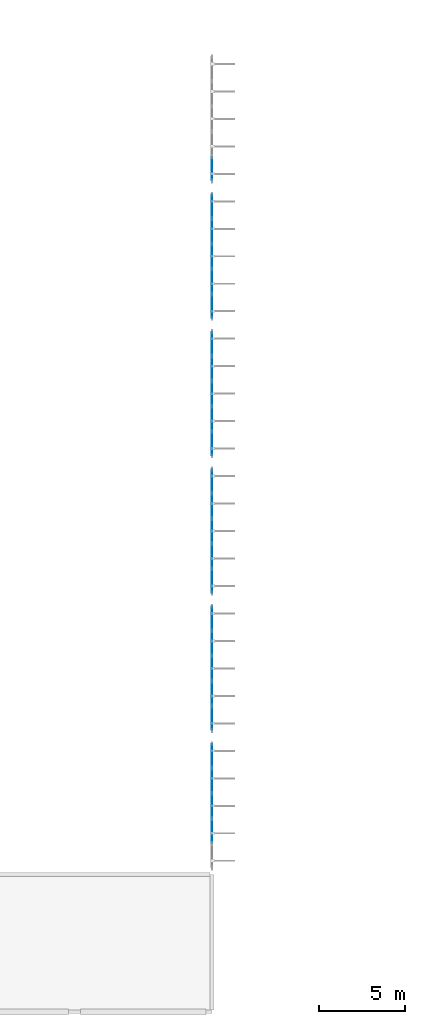
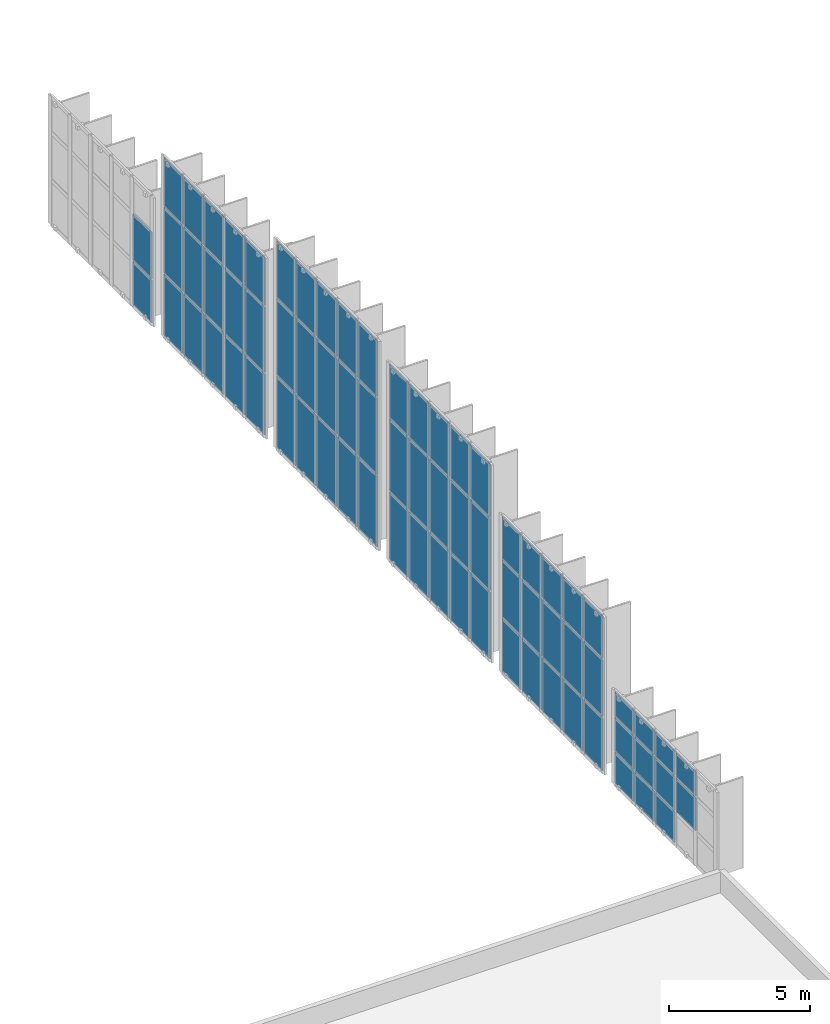
# One storey, part 21 of 38: 73 plates, 6 elements without a shape of their own.
"""IFC4 building model written with IfcOpenShell, lengths in metres."""

from ifc_helpers import new_model, si_unit, direction, frame, origin, origin_2d, place, context, subcontext, project, spatial, rectangle, extrude, material, layer, layer_set, type_object, element, aggregate, save


model = new_model("IFC4")

# Units and contexts
model_context = context("Model", 3, precision=1e-05, world=origin(), true_north=direction((0.0, 1.0)))
body_context = subcontext(model_context, "Body", "Model", "MODEL_VIEW")
ifc_project = project(units=[si_unit("LENGTHUNIT", "METRE"), si_unit("AREAUNIT", "SQUARE_METRE"), si_unit("VOLUMEUNIT", "CUBIC_METRE"), si_unit("PLANEANGLEUNIT", "RADIAN"), si_unit("MASSUNIT", "GRAM", prefix="KILO")], contexts=[model_context])

# Site, building, storey
site_placement = place(None, origin())
site = spatial("IfcSite", under=ifc_project, at=site_placement, CompositionType="ELEMENT")
building_placement = place(site_placement, origin())
building = spatial("IfcBuilding", under=site, at=building_placement, Name="Drelvana Railside Aquatics Centre", CompositionType="ELEMENT")
storey_placement = place(building_placement, frame((0.0, 0.0, 14.39990234375)))
storey = spatial("IfcBuildingStorey", under=building, at=storey_placement, Name="L03", CompositionType="ELEMENT", Elevation=14.39990234375)

# Curtain wall, plates
ifc_material_1 = material(Name="Bronze-anodised aluminium curtain wall", Category="aluminium")
ifc_layer_1 = layer(ifc_material_1, 0.219970703125, Name="Bronze-anodised aluminium curtain wall")
ifc_layer_set_1 = layer_set([ifc_layer_1], Name="Bronze-anodised aluminium curtain wall")
curtain_wall_type = type_object("IfcCurtainWallType", Name="CW-Z3-HIGH", PredefinedType="NOTDEFINED", material=ifc_layer_set_1)
curtain_wall_1_placement = place(storey_placement, origin())
curtain_wall_1 = element("IfcCurtainWall", 1, at=curtain_wall_1_placement, inside=storey, type_object=curtain_wall_type, Name="Curtain wall CW-03-058", PredefinedType="NOTDEFINED")
ifc_material_2 = material(Name="Double-glazed low-e solar-control glass", Category="glass")
ifc_layer_2 = layer(ifc_material_2, 0.035888671875, Name="Double-glazed low-e solar-control glass")
ifc_layer_set_2 = layer_set([ifc_layer_2], Name="Double-glazed low-e solar-control glass")
plate_type = type_object("IfcPlateType", Name="CW-Z3-HIGH-PAN", PredefinedType="CURTAIN_PANEL", material=ifc_layer_set_2)
plate_1_placement = place(storey_placement, frame((96.0, 26.53759765625, 1.45947265625), z_axis=(0.0, 0.0, 1.0), x_axis=(0.0, 1.0, 0.0)))
plate_1 = element("IfcPlate", 2, at=plate_1_placement, type_object=plate_type, Name="CW-03 panel 2.2", PredefinedType="CURTAIN_PANEL", context=body_context, shape_type="SweptSolid", body=[
    extrude(rectangle(XDim=1.392333984375, YDim=0.035888671875, at=origin_2d()), origin(), (0.0, 0.0, 1.0), 1.448974609375),
])
plate_2_placement = place(storey_placement, frame((96.0, 26.53759765625, 2.9736328125), z_axis=(0.0, 0.0, 1.0), x_axis=(0.0, 1.0, 0.0)))
plate_2 = element("IfcPlate", 3, at=plate_2_placement, type_object=plate_type, Name="CW-03 panel 2.3", PredefinedType="CURTAIN_PANEL", context=body_context, shape_type="SweptSolid", body=[
    extrude(rectangle(XDim=1.392333984375, YDim=0.035888671875, at=origin_2d()), origin(), (0.0, 0.0, 1.0), 1.04345703125),
])
plate_3_placement = place(storey_placement, frame((96.0, 28.0, 0.06396484375), z_axis=(0.0, 0.0, 1.0), x_axis=(0.0, 1.0, 0.0)))
plate_3 = element("IfcPlate", 4, at=plate_3_placement, type_object=plate_type, Name="CW-03 panel 3.1", PredefinedType="CURTAIN_PANEL", context=body_context, shape_type="SweptSolid", body=[
    extrude(rectangle(XDim=1.392333984375, YDim=0.035888671875, at=origin_2d()), origin(), (0.0, 0.0, 1.0), 1.33056640625),
])
plate_4_placement = place(storey_placement, frame((96.0, 28.0, 1.45947265625), z_axis=(0.0, 0.0, 1.0), x_axis=(0.0, 1.0, 0.0)))
plate_4 = element("IfcPlate", 5, at=plate_4_placement, type_object=plate_type, Name="CW-03 panel 3.2", PredefinedType="CURTAIN_PANEL", context=body_context, shape_type="SweptSolid", body=[
    extrude(rectangle(XDim=1.392333984375, YDim=0.035888671875, at=origin_2d()), origin(), (0.0, 0.0, 1.0), 1.448974609375),
])
plate_5_placement = place(storey_placement, frame((96.0, 28.0, 2.9736328125), z_axis=(0.0, 0.0, 1.0), x_axis=(0.0, 1.0, 0.0)))
plate_5 = element("IfcPlate", 6, at=plate_5_placement, type_object=plate_type, Name="CW-03 panel 3.3", PredefinedType="CURTAIN_PANEL", context=body_context, shape_type="SweptSolid", body=[
    extrude(rectangle(XDim=1.392333984375, YDim=0.035888671875, at=origin_2d()), origin(), (0.0, 0.0, 1.0), 1.04345703125),
])
plate_6_placement = place(storey_placement, frame((96.0, 29.46240234375, 0.06396484375), z_axis=(0.0, 0.0, 1.0), x_axis=(0.0, 1.0, 0.0)))
plate_6 = element("IfcPlate", 7, at=plate_6_placement, type_object=plate_type, Name="CW-03 panel 4.1", PredefinedType="CURTAIN_PANEL", context=body_context, shape_type="SweptSolid", body=[
    extrude(rectangle(XDim=1.392333984375, YDim=0.035888671875, at=origin_2d()), origin(), (0.0, 0.0, 1.0), 1.33056640625),
])
plate_7_placement = place(storey_placement, frame((96.0, 29.46240234375, 1.45947265625), z_axis=(0.0, 0.0, 1.0), x_axis=(0.0, 1.0, 0.0)))
plate_7 = element("IfcPlate", 8, at=plate_7_placement, type_object=plate_type, Name="CW-03 panel 4.2", PredefinedType="CURTAIN_PANEL", context=body_context, shape_type="SweptSolid", body=[
    extrude(rectangle(XDim=1.392333984375, YDim=0.035888671875, at=origin_2d()), origin(), (0.0, 0.0, 1.0), 1.448974609375),
])
plate_8_placement = place(storey_placement, frame((96.0, 29.46240234375, 2.9736328125), z_axis=(0.0, 0.0, 1.0), x_axis=(0.0, 1.0, 0.0)))
plate_8 = element("IfcPlate", 9, at=plate_8_placement, type_object=plate_type, Name="CW-03 panel 4.3", PredefinedType="CURTAIN_PANEL", context=body_context, shape_type="SweptSolid", body=[
    extrude(rectangle(XDim=1.392333984375, YDim=0.035888671875, at=origin_2d()), origin(), (0.0, 0.0, 1.0), 1.04345703125),
])
plate_9_placement = place(storey_placement, frame((96.0, 30.90478515625, 0.06396484375), z_axis=(0.0, 0.0, 1.0), x_axis=(0.0, 1.0, 0.0)))
plate_9 = element("IfcPlate", 10, at=plate_9_placement, type_object=plate_type, Name="CW-03 panel 5.1", PredefinedType="CURTAIN_PANEL", context=body_context, shape_type="SweptSolid", body=[
    extrude(rectangle(XDim=1.352294921875, YDim=0.035888671875, at=origin_2d()), origin(), (0.0, 0.0, 1.0), 1.33056640625),
])
plate_10_placement = place(storey_placement, frame((96.0, 30.90478515625, 1.45947265625), z_axis=(0.0, 0.0, 1.0), x_axis=(0.0, 1.0, 0.0)))
plate_10 = element("IfcPlate", 11, at=plate_10_placement, type_object=plate_type, Name="CW-03 panel 5.2", PredefinedType="CURTAIN_PANEL", context=body_context, shape_type="SweptSolid", body=[
    extrude(rectangle(XDim=1.352294921875, YDim=0.035888671875, at=origin_2d()), origin(), (0.0, 0.0, 1.0), 1.448974609375),
])
plate_11_placement = place(storey_placement, frame((96.0, 30.90478515625, 2.9736328125), z_axis=(0.0, 0.0, 1.0), x_axis=(0.0, 1.0, 0.0)))
plate_11 = element("IfcPlate", 12, at=plate_11_placement, type_object=plate_type, Name="CW-03 panel 5.3", PredefinedType="CURTAIN_PANEL", context=body_context, shape_type="SweptSolid", body=[
    extrude(rectangle(XDim=1.352294921875, YDim=0.035888671875, at=origin_2d()), origin(), (0.0, 0.0, 1.0), 1.04345703125),
])
aggregate(curtain_wall_1, [plate_1, plate_2, plate_3, plate_4, plate_5, plate_6, plate_7, plate_8, plate_9, plate_10, plate_11])

curtain_wall_2_placement = place(storey_placement, origin())
curtain_wall_2 = element("IfcCurtainWall", 13, at=curtain_wall_2_placement, inside=storey, type_object=curtain_wall_type, Name="Curtain wall CW-03-062", PredefinedType="NOTDEFINED")
plate_12_placement = place(storey_placement, frame((96.0, 33.09521484375, 0.06396484375), z_axis=(0.0, 0.0, 1.0), x_axis=(0.0, 1.0, 0.0)))
plate_12 = element("IfcPlate", 14, at=plate_12_placement, type_object=plate_type, Name="CW-03 panel 1.1", PredefinedType="CURTAIN_PANEL", context=body_context, shape_type="SweptSolid", body=[
    extrude(rectangle(XDim=1.352294921875, YDim=0.035888671875, at=origin_2d()), origin(), (0.0, 0.0, 1.0), 2.28955078125),
])
plate_13_placement = place(storey_placement, frame((96.0, 33.09521484375, 2.418701171875), z_axis=(0.0, 0.0, 1.0), x_axis=(0.0, 1.0, 0.0)))
plate_13 = element("IfcPlate", 15, at=plate_13_placement, type_object=plate_type, Name="CW-03 panel 1.2", PredefinedType="CURTAIN_PANEL", context=body_context, shape_type="SweptSolid", body=[
    extrude(rectangle(XDim=1.352294921875, YDim=0.035888671875, at=origin_2d()), origin(), (0.0, 0.0, 1.0), 2.462890625),
])
plate_14_placement = place(storey_placement, frame((96.0, 33.09521484375, 4.946533203125), z_axis=(0.0, 0.0, 1.0), x_axis=(0.0, 1.0, 0.0)))
plate_14 = element("IfcPlate", 16, at=plate_14_placement, type_object=plate_type, Name="CW-03 panel 1.3", PredefinedType="CURTAIN_PANEL", context=body_context, shape_type="SweptSolid", body=[
    extrude(rectangle(XDim=1.352294921875, YDim=0.035888671875, at=origin_2d()), origin(), (0.0, 0.0, 1.0), 1.8115234375),
])
plate_15_placement = place(storey_placement, frame((96.0, 34.53759765625, 0.06396484375), z_axis=(0.0, 0.0, 1.0), x_axis=(0.0, 1.0, 0.0)))
plate_15 = element("IfcPlate", 17, at=plate_15_placement, type_object=plate_type, Name="CW-03 panel 2.1", PredefinedType="CURTAIN_PANEL", context=body_context, shape_type="SweptSolid", body=[
    extrude(rectangle(XDim=1.392333984375, YDim=0.035888671875, at=origin_2d()), origin(), (0.0, 0.0, 1.0), 2.28955078125),
])
plate_16_placement = place(storey_placement, frame((96.0, 34.53759765625, 2.418701171875), z_axis=(0.0, 0.0, 1.0), x_axis=(0.0, 1.0, 0.0)))
plate_16 = element("IfcPlate", 18, at=plate_16_placement, type_object=plate_type, Name="CW-03 panel 2.2", PredefinedType="CURTAIN_PANEL", context=body_context, shape_type="SweptSolid", body=[
    extrude(rectangle(XDim=1.392333984375, YDim=0.035888671875, at=origin_2d()), origin(), (0.0, 0.0, 1.0), 2.462890625),
])
plate_17_placement = place(storey_placement, frame((96.0, 34.53759765625, 4.946533203125), z_axis=(0.0, 0.0, 1.0), x_axis=(0.0, 1.0, 0.0)))
plate_17 = element("IfcPlate", 19, at=plate_17_placement, type_object=plate_type, Name="CW-03 panel 2.3", PredefinedType="CURTAIN_PANEL", context=body_context, shape_type="SweptSolid", body=[
    extrude(rectangle(XDim=1.392333984375, YDim=0.035888671875, at=origin_2d()), origin(), (0.0, 0.0, 1.0), 1.8115234375),
])
plate_18_placement = place(storey_placement, frame((96.0, 36.0, 0.06396484375), z_axis=(0.0, 0.0, 1.0), x_axis=(0.0, 1.0, 0.0)))
plate_18 = element("IfcPlate", 20, at=plate_18_placement, type_object=plate_type, Name="CW-03 panel 3.1", PredefinedType="CURTAIN_PANEL", context=body_context, shape_type="SweptSolid", body=[
    extrude(rectangle(XDim=1.392333984375, YDim=0.035888671875, at=origin_2d()), origin(), (0.0, 0.0, 1.0), 2.28955078125),
])
plate_19_placement = place(storey_placement, frame((96.0, 36.0, 2.418701171875), z_axis=(0.0, 0.0, 1.0), x_axis=(0.0, 1.0, 0.0)))
plate_19 = element("IfcPlate", 21, at=plate_19_placement, type_object=plate_type, Name="CW-03 panel 3.2", PredefinedType="CURTAIN_PANEL", context=body_context, shape_type="SweptSolid", body=[
    extrude(rectangle(XDim=1.392333984375, YDim=0.035888671875, at=origin_2d()), origin(), (0.0, 0.0, 1.0), 2.462890625),
])
plate_20_placement = place(storey_placement, frame((96.0, 36.0, 4.946533203125), z_axis=(0.0, 0.0, 1.0), x_axis=(0.0, 1.0, 0.0)))
plate_20 = element("IfcPlate", 22, at=plate_20_placement, type_object=plate_type, Name="CW-03 panel 3.3", PredefinedType="CURTAIN_PANEL", context=body_context, shape_type="SweptSolid", body=[
    extrude(rectangle(XDim=1.392333984375, YDim=0.035888671875, at=origin_2d()), origin(), (0.0, 0.0, 1.0), 1.8115234375),
])
plate_21_placement = place(storey_placement, frame((96.0, 37.46240234375, 0.06396484375), z_axis=(0.0, 0.0, 1.0), x_axis=(0.0, 1.0, 0.0)))
plate_21 = element("IfcPlate", 23, at=plate_21_placement, type_object=plate_type, Name="CW-03 panel 4.1", PredefinedType="CURTAIN_PANEL", context=body_context, shape_type="SweptSolid", body=[
    extrude(rectangle(XDim=1.392333984375, YDim=0.035888671875, at=origin_2d()), origin(), (0.0, 0.0, 1.0), 2.28955078125),
])
plate_22_placement = place(storey_placement, frame((96.0, 37.46240234375, 2.418701171875), z_axis=(0.0, 0.0, 1.0), x_axis=(0.0, 1.0, 0.0)))
plate_22 = element("IfcPlate", 24, at=plate_22_placement, type_object=plate_type, Name="CW-03 panel 4.2", PredefinedType="CURTAIN_PANEL", context=body_context, shape_type="SweptSolid", body=[
    extrude(rectangle(XDim=1.392333984375, YDim=0.035888671875, at=origin_2d()), origin(), (0.0, 0.0, 1.0), 2.462890625),
])
plate_23_placement = place(storey_placement, frame((96.0, 37.46240234375, 4.946533203125), z_axis=(0.0, 0.0, 1.0), x_axis=(0.0, 1.0, 0.0)))
plate_23 = element("IfcPlate", 25, at=plate_23_placement, type_object=plate_type, Name="CW-03 panel 4.3", PredefinedType="CURTAIN_PANEL", context=body_context, shape_type="SweptSolid", body=[
    extrude(rectangle(XDim=1.392333984375, YDim=0.035888671875, at=origin_2d()), origin(), (0.0, 0.0, 1.0), 1.8115234375),
])
plate_24_placement = place(storey_placement, frame((96.0, 38.90478515625, 0.06396484375), z_axis=(0.0, 0.0, 1.0), x_axis=(0.0, 1.0, 0.0)))
plate_24 = element("IfcPlate", 26, at=plate_24_placement, type_object=plate_type, Name="CW-03 panel 5.1", PredefinedType="CURTAIN_PANEL", context=body_context, shape_type="SweptSolid", body=[
    extrude(rectangle(XDim=1.352294921875, YDim=0.035888671875, at=origin_2d()), origin(), (0.0, 0.0, 1.0), 2.28955078125),
])
plate_25_placement = place(storey_placement, frame((96.0, 38.90478515625, 2.418701171875), z_axis=(0.0, 0.0, 1.0), x_axis=(0.0, 1.0, 0.0)))
plate_25 = element("IfcPlate", 27, at=plate_25_placement, type_object=plate_type, Name="CW-03 panel 5.2", PredefinedType="CURTAIN_PANEL", context=body_context, shape_type="SweptSolid", body=[
    extrude(rectangle(XDim=1.352294921875, YDim=0.035888671875, at=origin_2d()), origin(), (0.0, 0.0, 1.0), 2.462890625),
])
plate_26_placement = place(storey_placement, frame((96.0, 38.90478515625, 4.946533203125), z_axis=(0.0, 0.0, 1.0), x_axis=(0.0, 1.0, 0.0)))
plate_26 = element("IfcPlate", 28, at=plate_26_placement, type_object=plate_type, Name="CW-03 panel 5.3", PredefinedType="CURTAIN_PANEL", context=body_context, shape_type="SweptSolid", body=[
    extrude(rectangle(XDim=1.352294921875, YDim=0.035888671875, at=origin_2d()), origin(), (0.0, 0.0, 1.0), 1.8115234375),
])
aggregate(curtain_wall_2, [plate_12, plate_13, plate_14, plate_15, plate_16, plate_17, plate_18, plate_19, plate_20, plate_21, plate_22, plate_23, plate_24, plate_25, plate_26])

curtain_wall_3_placement = place(storey_placement, origin())
curtain_wall_3 = element("IfcCurtainWall", 29, at=curtain_wall_3_placement, inside=storey, type_object=curtain_wall_type, Name="Curtain wall CW-03-066", PredefinedType="NOTDEFINED")
plate_27_placement = place(storey_placement, frame((96.0, 41.09521484375, 0.064208984375), z_axis=(0.0, 0.0, 1.0), x_axis=(0.0, 1.0, 0.0)))
plate_27 = element("IfcPlate", 30, at=plate_27_placement, type_object=plate_type, Name="CW-03 panel 1.1", PredefinedType="CURTAIN_PANEL", context=body_context, shape_type="SweptSolid", body=[
    extrude(rectangle(XDim=1.352294921875, YDim=0.035888671875, at=origin_2d()), origin(), (0.0, 0.0, 1.0), 2.8994140625),
])
plate_28_placement = place(storey_placement, frame((96.0, 41.09521484375, 3.028564453125), z_axis=(0.0, 0.0, 1.0), x_axis=(0.0, 1.0, 0.0)))
plate_28 = element("IfcPlate", 31, at=plate_28_placement, type_object=plate_type, Name="CW-03 panel 1.2", PredefinedType="CURTAIN_PANEL", context=body_context, shape_type="SweptSolid", body=[
    extrude(rectangle(XDim=1.352294921875, YDim=0.035888671875, at=origin_2d()), origin(), (0.0, 0.0, 1.0), 3.10791015625),
])
plate_29_placement = place(storey_placement, frame((96.0, 41.09521484375, 6.20166015625), z_axis=(0.0, 0.0, 1.0), x_axis=(0.0, 1.0, 0.0)))
plate_29 = element("IfcPlate", 32, at=plate_29_placement, type_object=plate_type, Name="CW-03 panel 1.3", PredefinedType="CURTAIN_PANEL", context=body_context, shape_type="SweptSolid", body=[
    extrude(rectangle(XDim=1.352294921875, YDim=0.035888671875, at=origin_2d()), origin(), (0.0, 0.0, 1.0), 2.299560546875),
])
plate_30_placement = place(storey_placement, frame((96.0, 42.53759765625, 0.064208984375), z_axis=(0.0, 0.0, 1.0), x_axis=(0.0, 1.0, 0.0)))
plate_30 = element("IfcPlate", 33, at=plate_30_placement, type_object=plate_type, Name="CW-03 panel 2.1", PredefinedType="CURTAIN_PANEL", context=body_context, shape_type="SweptSolid", body=[
    extrude(rectangle(XDim=1.392333984375, YDim=0.035888671875, at=origin_2d()), origin(), (0.0, 0.0, 1.0), 2.8994140625),
])
plate_31_placement = place(storey_placement, frame((96.0, 42.53759765625, 3.028564453125), z_axis=(0.0, 0.0, 1.0), x_axis=(0.0, 1.0, 0.0)))
plate_31 = element("IfcPlate", 34, at=plate_31_placement, type_object=plate_type, Name="CW-03 panel 2.2", PredefinedType="CURTAIN_PANEL", context=body_context, shape_type="SweptSolid", body=[
    extrude(rectangle(XDim=1.392333984375, YDim=0.035888671875, at=origin_2d()), origin(), (0.0, 0.0, 1.0), 3.10791015625),
])
plate_32_placement = place(storey_placement, frame((96.0, 42.53759765625, 6.20166015625), z_axis=(0.0, 0.0, 1.0), x_axis=(0.0, 1.0, 0.0)))
plate_32 = element("IfcPlate", 35, at=plate_32_placement, type_object=plate_type, Name="CW-03 panel 2.3", PredefinedType="CURTAIN_PANEL", context=body_context, shape_type="SweptSolid", body=[
    extrude(rectangle(XDim=1.392333984375, YDim=0.035888671875, at=origin_2d()), origin(), (0.0, 0.0, 1.0), 2.299560546875),
])
plate_33_placement = place(storey_placement, frame((96.0, 44.0, 0.064208984375), z_axis=(0.0, 0.0, 1.0), x_axis=(0.0, 1.0, 0.0)))
plate_33 = element("IfcPlate", 36, at=plate_33_placement, type_object=plate_type, Name="CW-03 panel 3.1", PredefinedType="CURTAIN_PANEL", context=body_context, shape_type="SweptSolid", body=[
    extrude(rectangle(XDim=1.392333984375, YDim=0.035888671875, at=origin_2d()), origin(), (0.0, 0.0, 1.0), 2.8994140625),
])
plate_34_placement = place(storey_placement, frame((96.0, 44.0, 3.028564453125), z_axis=(0.0, 0.0, 1.0), x_axis=(0.0, 1.0, 0.0)))
plate_34 = element("IfcPlate", 37, at=plate_34_placement, type_object=plate_type, Name="CW-03 panel 3.2", PredefinedType="CURTAIN_PANEL", context=body_context, shape_type="SweptSolid", body=[
    extrude(rectangle(XDim=1.392333984375, YDim=0.035888671875, at=origin_2d()), origin(), (0.0, 0.0, 1.0), 3.10791015625),
])
plate_35_placement = place(storey_placement, frame((96.0, 44.0, 6.20166015625), z_axis=(0.0, 0.0, 1.0), x_axis=(0.0, 1.0, 0.0)))
plate_35 = element("IfcPlate", 38, at=plate_35_placement, type_object=plate_type, Name="CW-03 panel 3.3", PredefinedType="CURTAIN_PANEL", context=body_context, shape_type="SweptSolid", body=[
    extrude(rectangle(XDim=1.392333984375, YDim=0.035888671875, at=origin_2d()), origin(), (0.0, 0.0, 1.0), 2.299560546875),
])
plate_36_placement = place(storey_placement, frame((96.0, 45.46240234375, 0.064208984375), z_axis=(0.0, 0.0, 1.0), x_axis=(0.0, 1.0, 0.0)))
plate_36 = element("IfcPlate", 39, at=plate_36_placement, type_object=plate_type, Name="CW-03 panel 4.1", PredefinedType="CURTAIN_PANEL", context=body_context, shape_type="SweptSolid", body=[
    extrude(rectangle(XDim=1.392333984375, YDim=0.035888671875, at=origin_2d()), origin(), (0.0, 0.0, 1.0), 2.8994140625),
])
plate_37_placement = place(storey_placement, frame((96.0, 45.46240234375, 3.028564453125), z_axis=(0.0, 0.0, 1.0), x_axis=(0.0, 1.0, 0.0)))
plate_37 = element("IfcPlate", 40, at=plate_37_placement, type_object=plate_type, Name="CW-03 panel 4.2", PredefinedType="CURTAIN_PANEL", context=body_context, shape_type="SweptSolid", body=[
    extrude(rectangle(XDim=1.392333984375, YDim=0.035888671875, at=origin_2d()), origin(), (0.0, 0.0, 1.0), 3.10791015625),
])
plate_38_placement = place(storey_placement, frame((96.0, 45.46240234375, 6.20166015625), z_axis=(0.0, 0.0, 1.0), x_axis=(0.0, 1.0, 0.0)))
plate_38 = element("IfcPlate", 41, at=plate_38_placement, type_object=plate_type, Name="CW-03 panel 4.3", PredefinedType="CURTAIN_PANEL", context=body_context, shape_type="SweptSolid", body=[
    extrude(rectangle(XDim=1.392333984375, YDim=0.035888671875, at=origin_2d()), origin(), (0.0, 0.0, 1.0), 2.299560546875),
])
plate_39_placement = place(storey_placement, frame((96.0, 46.90478515625, 0.064208984375), z_axis=(0.0, 0.0, 1.0), x_axis=(0.0, 1.0, 0.0)))
plate_39 = element("IfcPlate", 42, at=plate_39_placement, type_object=plate_type, Name="CW-03 panel 5.1", PredefinedType="CURTAIN_PANEL", context=body_context, shape_type="SweptSolid", body=[
    extrude(rectangle(XDim=1.352294921875, YDim=0.035888671875, at=origin_2d()), origin(), (0.0, 0.0, 1.0), 2.8994140625),
])
plate_40_placement = place(storey_placement, frame((96.0, 46.90478515625, 3.028564453125), z_axis=(0.0, 0.0, 1.0), x_axis=(0.0, 1.0, 0.0)))
plate_40 = element("IfcPlate", 43, at=plate_40_placement, type_object=plate_type, Name="CW-03 panel 5.2", PredefinedType="CURTAIN_PANEL", context=body_context, shape_type="SweptSolid", body=[
    extrude(rectangle(XDim=1.352294921875, YDim=0.035888671875, at=origin_2d()), origin(), (0.0, 0.0, 1.0), 3.10791015625),
])
plate_41_placement = place(storey_placement, frame((96.0, 46.90478515625, 6.20166015625), z_axis=(0.0, 0.0, 1.0), x_axis=(0.0, 1.0, 0.0)))
plate_41 = element("IfcPlate", 44, at=plate_41_placement, type_object=plate_type, Name="CW-03 panel 5.3", PredefinedType="CURTAIN_PANEL", context=body_context, shape_type="SweptSolid", body=[
    extrude(rectangle(XDim=1.352294921875, YDim=0.035888671875, at=origin_2d()), origin(), (0.0, 0.0, 1.0), 2.299560546875),
])
aggregate(curtain_wall_3, [plate_27, plate_28, plate_29, plate_30, plate_31, plate_32, plate_33, plate_34, plate_35, plate_36, plate_37, plate_38, plate_39, plate_40, plate_41])

curtain_wall_4_placement = place(storey_placement, origin())
curtain_wall_4 = element("IfcCurtainWall", 45, at=curtain_wall_4_placement, inside=storey, type_object=curtain_wall_type, Name="Curtain wall CW-03-069", PredefinedType="NOTDEFINED")
plate_42_placement = place(storey_placement, frame((96.0, 49.09521484375, 0.06396484375), z_axis=(0.0, 0.0, 1.0), x_axis=(0.0, 1.0, 0.0)))
plate_42 = element("IfcPlate", 46, at=plate_42_placement, type_object=plate_type, Name="CW-03 panel 1.1", PredefinedType="CURTAIN_PANEL", context=body_context, shape_type="SweptSolid", body=[
    extrude(rectangle(XDim=1.352294921875, YDim=0.035888671875, at=origin_2d()), origin(), (0.0, 0.0, 1.0), 3.074462890625),
])
plate_43_placement = place(storey_placement, frame((96.0, 49.09521484375, 3.20361328125), z_axis=(0.0, 0.0, 1.0), x_axis=(0.0, 1.0, 0.0)))
plate_43 = element("IfcPlate", 47, at=plate_43_placement, type_object=plate_type, Name="CW-03 panel 1.2", PredefinedType="CURTAIN_PANEL", context=body_context, shape_type="SweptSolid", body=[
    extrude(rectangle(XDim=1.352294921875, YDim=0.035888671875, at=origin_2d()), origin(), (0.0, 0.0, 1.0), 3.29296875),
])
plate_44_placement = place(storey_placement, frame((96.0, 49.09521484375, 6.5615234375), z_axis=(0.0, 0.0, 1.0), x_axis=(0.0, 1.0, 0.0)))
plate_44 = element("IfcPlate", 48, at=plate_44_placement, type_object=plate_type, Name="CW-03 panel 1.3", PredefinedType="CURTAIN_PANEL", context=body_context, shape_type="SweptSolid", body=[
    extrude(rectangle(XDim=1.352294921875, YDim=0.035888671875, at=origin_2d()), origin(), (0.0, 0.0, 1.0), 2.4384765625),
])
plate_45_placement = place(storey_placement, frame((96.0, 50.53759765625, 0.06396484375), z_axis=(0.0, 0.0, 1.0), x_axis=(0.0, 1.0, 0.0)))
plate_45 = element("IfcPlate", 49, at=plate_45_placement, type_object=plate_type, Name="CW-03 panel 2.1", PredefinedType="CURTAIN_PANEL", context=body_context, shape_type="SweptSolid", body=[
    extrude(rectangle(XDim=1.392333984375, YDim=0.035888671875, at=origin_2d()), origin(), (0.0, 0.0, 1.0), 3.074462890625),
])
plate_46_placement = place(storey_placement, frame((96.0, 50.53759765625, 3.20361328125), z_axis=(0.0, 0.0, 1.0), x_axis=(0.0, 1.0, 0.0)))
plate_46 = element("IfcPlate", 50, at=plate_46_placement, type_object=plate_type, Name="CW-03 panel 2.2", PredefinedType="CURTAIN_PANEL", context=body_context, shape_type="SweptSolid", body=[
    extrude(rectangle(XDim=1.392333984375, YDim=0.035888671875, at=origin_2d()), origin(), (0.0, 0.0, 1.0), 3.29296875),
])
plate_47_placement = place(storey_placement, frame((96.0, 50.53759765625, 6.5615234375), z_axis=(0.0, 0.0, 1.0), x_axis=(0.0, 1.0, 0.0)))
plate_47 = element("IfcPlate", 51, at=plate_47_placement, type_object=plate_type, Name="CW-03 panel 2.3", PredefinedType="CURTAIN_PANEL", context=body_context, shape_type="SweptSolid", body=[
    extrude(rectangle(XDim=1.392333984375, YDim=0.035888671875, at=origin_2d()), origin(), (0.0, 0.0, 1.0), 2.4384765625),
])
plate_48_placement = place(storey_placement, frame((96.0, 52.0, 0.06396484375), z_axis=(0.0, 0.0, 1.0), x_axis=(0.0, 1.0, 0.0)))
plate_48 = element("IfcPlate", 52, at=plate_48_placement, type_object=plate_type, Name="CW-03 panel 3.1", PredefinedType="CURTAIN_PANEL", context=body_context, shape_type="SweptSolid", body=[
    extrude(rectangle(XDim=1.392333984375, YDim=0.035888671875, at=origin_2d()), origin(), (0.0, 0.0, 1.0), 3.074462890625),
])
plate_49_placement = place(storey_placement, frame((96.0, 52.0, 3.20361328125), z_axis=(0.0, 0.0, 1.0), x_axis=(0.0, 1.0, 0.0)))
plate_49 = element("IfcPlate", 53, at=plate_49_placement, type_object=plate_type, Name="CW-03 panel 3.2", PredefinedType="CURTAIN_PANEL", context=body_context, shape_type="SweptSolid", body=[
    extrude(rectangle(XDim=1.392333984375, YDim=0.035888671875, at=origin_2d()), origin(), (0.0, 0.0, 1.0), 3.29296875),
])
plate_50_placement = place(storey_placement, frame((96.0, 52.0, 6.5615234375), z_axis=(0.0, 0.0, 1.0), x_axis=(0.0, 1.0, 0.0)))
plate_50 = element("IfcPlate", 54, at=plate_50_placement, type_object=plate_type, Name="CW-03 panel 3.3", PredefinedType="CURTAIN_PANEL", context=body_context, shape_type="SweptSolid", body=[
    extrude(rectangle(XDim=1.392333984375, YDim=0.035888671875, at=origin_2d()), origin(), (0.0, 0.0, 1.0), 2.4384765625),
])
plate_51_placement = place(storey_placement, frame((96.0, 53.46240234375, 0.06396484375), z_axis=(0.0, 0.0, 1.0), x_axis=(0.0, 1.0, 0.0)))
plate_51 = element("IfcPlate", 55, at=plate_51_placement, type_object=plate_type, Name="CW-03 panel 4.1", PredefinedType="CURTAIN_PANEL", context=body_context, shape_type="SweptSolid", body=[
    extrude(rectangle(XDim=1.392333984375, YDim=0.035888671875, at=origin_2d()), origin(), (0.0, 0.0, 1.0), 3.074462890625),
])
plate_52_placement = place(storey_placement, frame((96.0, 53.46240234375, 3.20361328125), z_axis=(0.0, 0.0, 1.0), x_axis=(0.0, 1.0, 0.0)))
plate_52 = element("IfcPlate", 56, at=plate_52_placement, type_object=plate_type, Name="CW-03 panel 4.2", PredefinedType="CURTAIN_PANEL", context=body_context, shape_type="SweptSolid", body=[
    extrude(rectangle(XDim=1.392333984375, YDim=0.035888671875, at=origin_2d()), origin(), (0.0, 0.0, 1.0), 3.29296875),
])
plate_53_placement = place(storey_placement, frame((96.0, 53.46240234375, 6.5615234375), z_axis=(0.0, 0.0, 1.0), x_axis=(0.0, 1.0, 0.0)))
plate_53 = element("IfcPlate", 57, at=plate_53_placement, type_object=plate_type, Name="CW-03 panel 4.3", PredefinedType="CURTAIN_PANEL", context=body_context, shape_type="SweptSolid", body=[
    extrude(rectangle(XDim=1.392333984375, YDim=0.035888671875, at=origin_2d()), origin(), (0.0, 0.0, 1.0), 2.4384765625),
])
plate_54_placement = place(storey_placement, frame((96.0, 54.90478515625, 0.06396484375), z_axis=(0.0, 0.0, 1.0), x_axis=(0.0, 1.0, 0.0)))
plate_54 = element("IfcPlate", 58, at=plate_54_placement, type_object=plate_type, Name="CW-03 panel 5.1", PredefinedType="CURTAIN_PANEL", context=body_context, shape_type="SweptSolid", body=[
    extrude(rectangle(XDim=1.352294921875, YDim=0.035888671875, at=origin_2d()), origin(), (0.0, 0.0, 1.0), 3.074462890625),
])
plate_55_placement = place(storey_placement, frame((96.0, 54.90478515625, 3.20361328125), z_axis=(0.0, 0.0, 1.0), x_axis=(0.0, 1.0, 0.0)))
plate_55 = element("IfcPlate", 59, at=plate_55_placement, type_object=plate_type, Name="CW-03 panel 5.2", PredefinedType="CURTAIN_PANEL", context=body_context, shape_type="SweptSolid", body=[
    extrude(rectangle(XDim=1.352294921875, YDim=0.035888671875, at=origin_2d()), origin(), (0.0, 0.0, 1.0), 3.29296875),
])
plate_56_placement = place(storey_placement, frame((96.0, 54.90478515625, 6.5615234375), z_axis=(0.0, 0.0, 1.0), x_axis=(0.0, 1.0, 0.0)))
plate_56 = element("IfcPlate", 60, at=plate_56_placement, type_object=plate_type, Name="CW-03 panel 5.3", PredefinedType="CURTAIN_PANEL", context=body_context, shape_type="SweptSolid", body=[
    extrude(rectangle(XDim=1.352294921875, YDim=0.035888671875, at=origin_2d()), origin(), (0.0, 0.0, 1.0), 2.4384765625),
])
aggregate(curtain_wall_4, [plate_42, plate_43, plate_44, plate_45, plate_46, plate_47, plate_48, plate_49, plate_50, plate_51, plate_52, plate_53, plate_54, plate_55, plate_56])

curtain_wall_5_placement = place(storey_placement, origin())
curtain_wall_5 = element("IfcCurtainWall", 61, at=curtain_wall_5_placement, inside=storey, type_object=curtain_wall_type, Name="Curtain wall CW-03-073", PredefinedType="NOTDEFINED")
plate_57_placement = place(storey_placement, frame((96.0, 57.09521484375, 0.06396484375), z_axis=(0.0, 0.0, 1.0), x_axis=(0.0, 1.0, 0.0)))
plate_57 = element("IfcPlate", 62, at=plate_57_placement, type_object=plate_type, Name="CW-03 panel 1.1", PredefinedType="CURTAIN_PANEL", context=body_context, shape_type="SweptSolid", body=[
    extrude(rectangle(XDim=1.352294921875, YDim=0.035888671875, at=origin_2d()), origin(), (0.0, 0.0, 1.0), 2.637451171875),
])
plate_58_placement = place(storey_placement, frame((96.0, 57.09521484375, 2.7666015625), z_axis=(0.0, 0.0, 1.0), x_axis=(0.0, 1.0, 0.0)))
plate_58 = element("IfcPlate", 63, at=plate_58_placement, type_object=plate_type, Name="CW-03 panel 1.2", PredefinedType="CURTAIN_PANEL", context=body_context, shape_type="SweptSolid", body=[
    extrude(rectangle(XDim=1.352294921875, YDim=0.035888671875, at=origin_2d()), origin(), (0.0, 0.0, 1.0), 2.8330078125),
])
plate_59_placement = place(storey_placement, frame((96.0, 57.09521484375, 5.66455078125), z_axis=(0.0, 0.0, 1.0), x_axis=(0.0, 1.0, 0.0)))
plate_59 = element("IfcPlate", 64, at=plate_59_placement, type_object=plate_type, Name="CW-03 panel 1.3", PredefinedType="CURTAIN_PANEL", context=body_context, shape_type="SweptSolid", body=[
    extrude(rectangle(XDim=1.352294921875, YDim=0.035888671875, at=origin_2d()), origin(), (0.0, 0.0, 1.0), 2.089599609375),
])
plate_60_placement = place(storey_placement, frame((96.0, 58.53759765625, 0.06396484375), z_axis=(0.0, 0.0, 1.0), x_axis=(0.0, 1.0, 0.0)))
plate_60 = element("IfcPlate", 65, at=plate_60_placement, type_object=plate_type, Name="CW-03 panel 2.1", PredefinedType="CURTAIN_PANEL", context=body_context, shape_type="SweptSolid", body=[
    extrude(rectangle(XDim=1.392333984375, YDim=0.035888671875, at=origin_2d()), origin(), (0.0, 0.0, 1.0), 2.637451171875),
])
plate_61_placement = place(storey_placement, frame((96.0, 58.53759765625, 2.7666015625), z_axis=(0.0, 0.0, 1.0), x_axis=(0.0, 1.0, 0.0)))
plate_61 = element("IfcPlate", 66, at=plate_61_placement, type_object=plate_type, Name="CW-03 panel 2.2", PredefinedType="CURTAIN_PANEL", context=body_context, shape_type="SweptSolid", body=[
    extrude(rectangle(XDim=1.392333984375, YDim=0.035888671875, at=origin_2d()), origin(), (0.0, 0.0, 1.0), 2.8330078125),
])
plate_62_placement = place(storey_placement, frame((96.0, 58.53759765625, 5.66455078125), z_axis=(0.0, 0.0, 1.0), x_axis=(0.0, 1.0, 0.0)))
plate_62 = element("IfcPlate", 67, at=plate_62_placement, type_object=plate_type, Name="CW-03 panel 2.3", PredefinedType="CURTAIN_PANEL", context=body_context, shape_type="SweptSolid", body=[
    extrude(rectangle(XDim=1.392333984375, YDim=0.035888671875, at=origin_2d()), origin(), (0.0, 0.0, 1.0), 2.089599609375),
])
plate_63_placement = place(storey_placement, frame((96.0, 60.0, 0.06396484375), z_axis=(0.0, 0.0, 1.0), x_axis=(0.0, 1.0, 0.0)))
plate_63 = element("IfcPlate", 68, at=plate_63_placement, type_object=plate_type, Name="CW-03 panel 3.1", PredefinedType="CURTAIN_PANEL", context=body_context, shape_type="SweptSolid", body=[
    extrude(rectangle(XDim=1.392333984375, YDim=0.035888671875, at=origin_2d()), origin(), (0.0, 0.0, 1.0), 2.637451171875),
])
plate_64_placement = place(storey_placement, frame((96.0, 60.0, 2.7666015625), z_axis=(0.0, 0.0, 1.0), x_axis=(0.0, 1.0, 0.0)))
plate_64 = element("IfcPlate", 69, at=plate_64_placement, type_object=plate_type, Name="CW-03 panel 3.2", PredefinedType="CURTAIN_PANEL", context=body_context, shape_type="SweptSolid", body=[
    extrude(rectangle(XDim=1.392333984375, YDim=0.035888671875, at=origin_2d()), origin(), (0.0, 0.0, 1.0), 2.8330078125),
])
plate_65_placement = place(storey_placement, frame((96.0, 60.0, 5.66455078125), z_axis=(0.0, 0.0, 1.0), x_axis=(0.0, 1.0, 0.0)))
plate_65 = element("IfcPlate", 70, at=plate_65_placement, type_object=plate_type, Name="CW-03 panel 3.3", PredefinedType="CURTAIN_PANEL", context=body_context, shape_type="SweptSolid", body=[
    extrude(rectangle(XDim=1.392333984375, YDim=0.035888671875, at=origin_2d()), origin(), (0.0, 0.0, 1.0), 2.089599609375),
])
plate_66_placement = place(storey_placement, frame((96.0, 61.46240234375, 0.06396484375), z_axis=(0.0, 0.0, 1.0), x_axis=(0.0, 1.0, 0.0)))
plate_66 = element("IfcPlate", 71, at=plate_66_placement, type_object=plate_type, Name="CW-03 panel 4.1", PredefinedType="CURTAIN_PANEL", context=body_context, shape_type="SweptSolid", body=[
    extrude(rectangle(XDim=1.392333984375, YDim=0.035888671875, at=origin_2d()), origin(), (0.0, 0.0, 1.0), 2.637451171875),
])
plate_67_placement = place(storey_placement, frame((96.0, 61.46240234375, 2.7666015625), z_axis=(0.0, 0.0, 1.0), x_axis=(0.0, 1.0, 0.0)))
plate_67 = element("IfcPlate", 72, at=plate_67_placement, type_object=plate_type, Name="CW-03 panel 4.2", PredefinedType="CURTAIN_PANEL", context=body_context, shape_type="SweptSolid", body=[
    extrude(rectangle(XDim=1.392333984375, YDim=0.035888671875, at=origin_2d()), origin(), (0.0, 0.0, 1.0), 2.8330078125),
])
plate_68_placement = place(storey_placement, frame((96.0, 61.46240234375, 5.66455078125), z_axis=(0.0, 0.0, 1.0), x_axis=(0.0, 1.0, 0.0)))
plate_68 = element("IfcPlate", 73, at=plate_68_placement, type_object=plate_type, Name="CW-03 panel 4.3", PredefinedType="CURTAIN_PANEL", context=body_context, shape_type="SweptSolid", body=[
    extrude(rectangle(XDim=1.392333984375, YDim=0.035888671875, at=origin_2d()), origin(), (0.0, 0.0, 1.0), 2.089599609375),
])
plate_69_placement = place(storey_placement, frame((96.0, 62.90478515625, 0.06396484375), z_axis=(0.0, 0.0, 1.0), x_axis=(0.0, 1.0, 0.0)))
plate_69 = element("IfcPlate", 74, at=plate_69_placement, type_object=plate_type, Name="CW-03 panel 5.1", PredefinedType="CURTAIN_PANEL", context=body_context, shape_type="SweptSolid", body=[
    extrude(rectangle(XDim=1.352294921875, YDim=0.035888671875, at=origin_2d()), origin(), (0.0, 0.0, 1.0), 2.637451171875),
])
plate_70_placement = place(storey_placement, frame((96.0, 62.90478515625, 2.7666015625), z_axis=(0.0, 0.0, 1.0), x_axis=(0.0, 1.0, 0.0)))
plate_70 = element("IfcPlate", 75, at=plate_70_placement, type_object=plate_type, Name="CW-03 panel 5.2", PredefinedType="CURTAIN_PANEL", context=body_context, shape_type="SweptSolid", body=[
    extrude(rectangle(XDim=1.352294921875, YDim=0.035888671875, at=origin_2d()), origin(), (0.0, 0.0, 1.0), 2.8330078125),
])
plate_71_placement = place(storey_placement, frame((96.0, 62.90478515625, 5.66455078125), z_axis=(0.0, 0.0, 1.0), x_axis=(0.0, 1.0, 0.0)))
plate_71 = element("IfcPlate", 76, at=plate_71_placement, type_object=plate_type, Name="CW-03 panel 5.3", PredefinedType="CURTAIN_PANEL", context=body_context, shape_type="SweptSolid", body=[
    extrude(rectangle(XDim=1.352294921875, YDim=0.035888671875, at=origin_2d()), origin(), (0.0, 0.0, 1.0), 2.089599609375),
])
aggregate(curtain_wall_5, [plate_57, plate_58, plate_59, plate_60, plate_61, plate_62, plate_63, plate_64, plate_65, plate_66, plate_67, plate_68, plate_69, plate_70, plate_71])

curtain_wall_6_placement = place(storey_placement, origin())
curtain_wall_6 = element("IfcCurtainWall", 77, at=curtain_wall_6_placement, inside=storey, type_object=curtain_wall_type, Name="Curtain wall CW-03-077", PredefinedType="NOTDEFINED")
plate_72_placement = place(storey_placement, frame((96.0, 65.09521484375, 0.064208984375), z_axis=(0.0, 0.0, 1.0), x_axis=(0.0, 1.0, 0.0)))
plate_72 = element("IfcPlate", 78, at=plate_72_placement, type_object=plate_type, Name="CW-03 panel 1.1", PredefinedType="CURTAIN_PANEL", context=body_context, shape_type="SweptSolid", body=[
    extrude(rectangle(XDim=1.352294921875, YDim=0.035888671875, at=origin_2d()), origin(), (0.0, 0.0, 1.0), 1.853515625),
])
plate_73_placement = place(storey_placement, frame((96.0, 65.09521484375, 1.982666015625), z_axis=(0.0, 0.0, 1.0), x_axis=(0.0, 1.0, 0.0)))
plate_73 = element("IfcPlate", 79, at=plate_73_placement, type_object=plate_type, Name="CW-03 panel 1.2", PredefinedType="CURTAIN_PANEL", context=body_context, shape_type="SweptSolid", body=[
    extrude(rectangle(XDim=1.352294921875, YDim=0.035888671875, at=origin_2d()), origin(), (0.0, 0.0, 1.0), 2.001953125),
])
aggregate(curtain_wall_6, [plate_72, plate_73])

save(model, "model.ifc")
